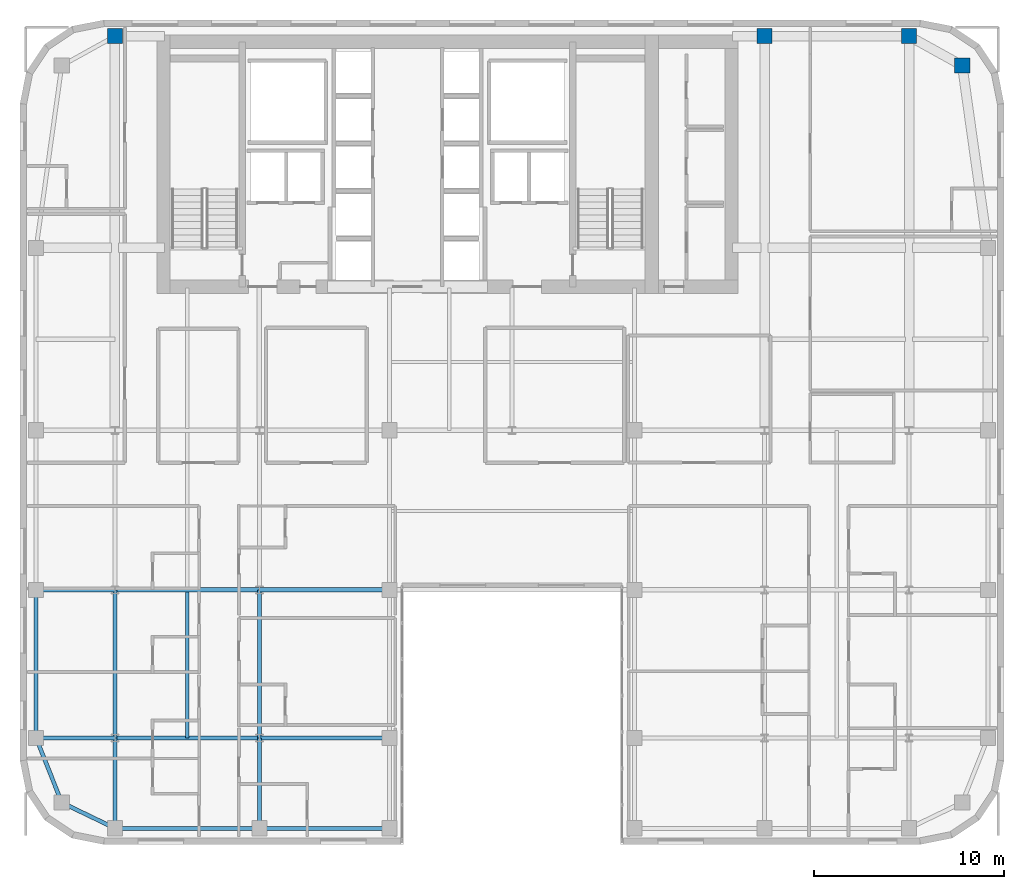
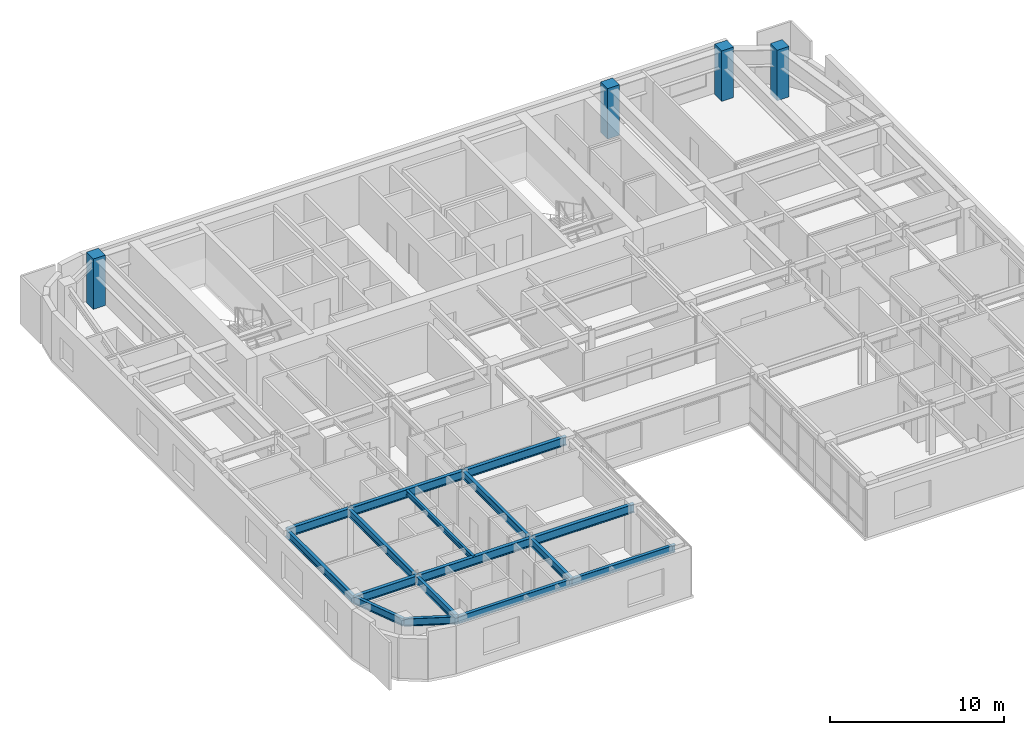
# One storey, part 2 of 14: 16 beams, 4 columns.
"""IFC4 building model written with IfcOpenShell, lengths in metres."""

from ifc_helpers import new_model, si_unit, direction, frame, origin, origin_2d, place, context, subcontext, project, spatial, rectangle, i_section, extrude, source, transform, mapped, material, material_profile, profile_set, type_object, type_shapes, element, save


model = new_model("IFC4")

# Units and contexts
model_context = context("Model", 3, precision=1e-05, world=origin(), true_north=direction((0.0, 1.0)))
body_context = subcontext(model_context, "Body", "Model", "MODEL_VIEW")
ifc_project = project(units=[si_unit("LENGTHUNIT", "METRE"), si_unit("AREAUNIT", "SQUARE_METRE"), si_unit("VOLUMEUNIT", "CUBIC_METRE"), si_unit("PLANEANGLEUNIT", "RADIAN"), si_unit("MASSUNIT", "GRAM", prefix="KILO")], contexts=[model_context])

# Site, building, storey
site_placement = place(None, origin())
site = spatial("IfcSite", under=ifc_project, at=site_placement, CompositionType="ELEMENT")
building_placement = place(site_placement, origin())
building = spatial("IfcBuilding", under=site, at=building_placement, Name="Tolvann Quenvar Hotel", CompositionType="ELEMENT")
storey_placement = place(building_placement, frame((0.0, 0.0, 187.550048828125)))
storey = spatial("IfcBuildingStorey", under=building, at=storey_placement, Name="L49", CompositionType="ELEMENT", Elevation=187.550048828125)

# Columns
ifc_material_1 = material(Name="Concrete N50 (50 MPa)", Category="concrete")
ifc_material_profile_1 = material_profile(ifc_material_1, rectangle(XDim=0.800048828125, YDim=0.800048828125, at=origin_2d()), Name="RC800x800")
ifc_profile_set_1 = profile_set([ifc_material_profile_1], Name="Concrete N50 (50 MPa)")
column_type = type_object("IfcColumnType", Name="COL_RC800", PredefinedType="COLUMN", material=ifc_profile_set_1)
shared_shape_1 = source(origin(), body_context, "Body", "SweptSolid", [
    extrude(rectangle(XDim=0.800048828125, YDim=0.800048828125, at=origin_2d()), origin(), (0.0, 0.0, 1.0), 3.550048828125),
])
type_shapes(column_type, [shared_shape_1])
for number, where, z_axis, x_axis, name in (
    (1, (7.60009765625, 45.14990234375, 0.0), (0.0, 0.0, 1.0), (1.0, 0.0, 0.0), "Column CN (L49)"),
    (2, (41.800048828125, 45.14990234375, 0.0), (0.0, 0.0, 1.0), (1.0, 0.0, 0.0), "Column HN (L49)"),
    (3, (49.39990234375, 45.14990234375, 0.0), (0.0, 0.0, 1.0), (1.0, 0.0, 0.0), "Column IN (L49)"),
    (4, (52.199951171875, 43.60009765625, 0.0), (0.0, 0.0, 1.0), (1.0, 0.0, 0.0), "Column JN (L49)"),
):
    element("IfcColumn", number, at=place(storey_placement, frame(where, z_axis=z_axis, x_axis=x_axis)), inside=storey, type_object=column_type, Name=name, PredefinedType="COLUMN", context=body_context, shape_type="MappedRepresentation", body=[
        mapped(shared_shape_1, transform((0.0, 0.0, 0.0), x_axis=(1.0, 0.0, 0.0), y_axis=(0.0, 1.0, 0.0), z_axis=(0.0, 0.0, 1.0), scale=1.0)),
    ])

# Beams
ifc_material_2 = material(Name="Steel Grade 350", Category="steel")
ifc_material_profile_2 = material_profile(ifc_material_2, i_section(OverallWidth=0.208984375, OverallDepth=0.528076171875, WebThickness=0.009521484375, FlangeThickness=0.01318359375, FilletRadius=0.013916015625, at=origin_2d()), Name="530UB82")
ifc_profile_set_2 = profile_set([ifc_material_profile_2], Name="Steel Grade 350")
beam_type_1 = type_object("IfcBeamType", Name="BM_SPAND_530UB82", PredefinedType="SPANDREL", material=ifc_profile_set_2)
shared_shape_2 = source(origin(), body_context, "Body", "SweptSolid", [
    extrude(i_section(OverallWidth=0.208984375, OverallDepth=0.528076171875, WebThickness=0.009521484375, FlangeThickness=0.01318359375, FilletRadius=0.013916015625, at=origin_2d()), origin(), (0.0, 0.0, 1.0), 7.599853515625),
])
beam_1_placement = place(storey_placement, frame((7.60009765625, 3.449951171875, 3.10595703125), z_axis=(1.0, 0.0, 0.0), x_axis=(0.0, 1.0, 0.0)))
element("IfcBeam", 5, at=beam_1_placement, inside=storey, type_object=beam_type_1, Name="BM-L49-EW-2-C2-D2", PredefinedType="SPANDREL", context=body_context, shape_type="MappedRepresentation", body=[
    mapped(shared_shape_2, transform((0.0, 0.0, 0.0), x_axis=(1.0, 0.0, 0.0), y_axis=(0.0, 1.0, 0.0), z_axis=(0.0, 0.0, 1.0), scale=1.0)),
])
shared_shape_3 = source(origin(), body_context, "Body", "SweptSolid", [
    extrude(i_section(OverallWidth=0.208984375, OverallDepth=0.528076171875, WebThickness=0.009521484375, FlangeThickness=0.01318359375, FilletRadius=0.013916015625, at=origin_2d()), origin(), (0.0, 0.0, 1.0), 6.85009765625),
])
beam_2_placement = place(storey_placement, frame((15.199951171875, 3.449951171875, 3.10595703125), z_axis=(1.0, 0.0, 0.0), x_axis=(0.0, 1.0, 0.0)))
element("IfcBeam", 6, at=beam_2_placement, inside=storey, type_object=beam_type_1, Name="BM-L49-EW-2-D2-E2", PredefinedType="SPANDREL", context=body_context, shape_type="MappedRepresentation", body=[
    mapped(shared_shape_3, transform((0.0, 0.0, 0.0), x_axis=(1.0, 0.0, 0.0), y_axis=(0.0, 1.0, 0.0), z_axis=(0.0, 0.0, 1.0), scale=1.0)),
])
shared_shape_4 = source(origin(), body_context, "Body", "SweptSolid", [
    extrude(i_section(OverallWidth=0.208984375, OverallDepth=0.528076171875, WebThickness=0.009521484375, FlangeThickness=0.01318359375, FilletRadius=0.013916015625, at=origin_2d()), origin(), (0.0, 0.0, 1.0), 7.800048828125),
])
beam_3_placement = place(storey_placement, frame((3.449951171875, 8.199951171875, 3.10595703125), z_axis=(0.0, 1.0, 0.0), x_axis=(-1.0, 0.0, 0.0)))
element("IfcBeam", 7, at=beam_3_placement, inside=storey, type_object=beam_type_1, Name="BM-L49-NS-B3-B4", PredefinedType="SPANDREL", context=body_context, shape_type="MappedRepresentation", body=[
    mapped(shared_shape_4, transform((0.0, 0.0, 0.0), x_axis=(1.0, 0.0, 0.0), y_axis=(0.0, 1.0, 0.0), z_axis=(0.0, 0.0, 1.0), scale=1.0)),
])
ifc_material_profile_3 = material_profile(ifc_material_2, i_section(OverallWidth=0.208984375, OverallDepth=0.532958984375, WebThickness=0.01025390625, FlangeThickness=0.015625, FilletRadius=0.013916015625, at=origin_2d()), Name="530UB92")
ifc_profile_set_3 = profile_set([ifc_material_profile_3], Name="Steel Grade 350")
beam_type_2 = type_object("IfcBeamType", Name="BM_GIRD_530UB92", PredefinedType="BEAM", material=ifc_profile_set_3)
shared_shape_5 = source(origin(), body_context, "Body", "SweptSolid", [
    extrude(i_section(OverallWidth=0.208984375, OverallDepth=0.532958984375, WebThickness=0.01025390625, FlangeThickness=0.015625, FilletRadius=0.013916015625, at=origin_2d()), origin(), (0.0, 0.0, 1.0), 7.800048828125),
])
for number, where, z_axis, x_axis, name in (
    (8, (7.60009765625, 8.199951171875, 3.103515625), (0.0, 1.0, 0.0), (-1.0, 0.0, 0.0), "BM-L49-NS-C3-C4"),
    (9, (15.199951171875, 8.199951171875, 3.103515625), (0.0, 1.0, 0.0), (-1.0, 0.0, 0.0), "BM-L49-NS-D3-D4"),
):
    element("IfcBeam", number, at=place(storey_placement, frame(where, z_axis=z_axis, x_axis=x_axis)), inside=storey, type_object=beam_type_2, Name=name, PredefinedType="BEAM", context=body_context, shape_type="MappedRepresentation", body=[
        mapped(shared_shape_5, transform((0.0, 0.0, 0.0), x_axis=(1.0, 0.0, 0.0), y_axis=(0.0, 1.0, 0.0), z_axis=(0.0, 0.0, 1.0), scale=1.0)),
    ])
shared_shape_6 = source(origin(), body_context, "Body", "SweptSolid", [
    extrude(i_section(OverallWidth=0.208984375, OverallDepth=0.528076171875, WebThickness=0.009521484375, FlangeThickness=0.01318359375, FilletRadius=0.013916015625, at=origin_2d()), origin(), (0.0, 0.0, 1.0), 3.108642578125),
])
beam_4_placement = place(storey_placement, frame((4.800048828125, 4.800048828125, 3.10595703125), z_axis=(0.900759354066, -0.434318530646, 0.0), x_axis=(0.434318530646, 0.900759354066, 0.0)))
element("IfcBeam", 10, at=beam_4_placement, inside=storey, type_object=beam_type_1, Name="BM-L49-EW-2-B2-C2", PredefinedType="SPANDREL", context=body_context, shape_type="MappedRepresentation", body=[
    mapped(shared_shape_6, transform((0.0, 0.0, 0.0), x_axis=(1.0, 0.0, 0.0), y_axis=(0.0, 1.0, 0.0), z_axis=(0.0, 0.0, 1.0), scale=1.0)),
])
ifc_material_profile_4 = material_profile(ifc_material_2, i_section(OverallWidth=0.22802734375, OverallDepth=0.60205078125, WebThickness=0.010498046875, FlangeThickness=0.014892578125, FilletRadius=0.013916015625, at=origin_2d()), Name="610UB101")
ifc_profile_set_4 = profile_set([ifc_material_profile_4], Name="Steel Grade 350")
beam_type_3 = type_object("IfcBeamType", Name="BM_GIRD_610UB101", PredefinedType="BEAM", material=ifc_profile_set_4)
shared_shape_7 = source(origin(), body_context, "Body", "SweptSolid", [
    extrude(i_section(OverallWidth=0.22802734375, OverallDepth=0.60205078125, WebThickness=0.010498046875, FlangeThickness=0.014892578125, FilletRadius=0.013916015625, at=origin_2d()), origin(), (0.0, 0.0, 1.0), 4.150146484375),
])
for number, where, z_axis, x_axis, name in (
    (11, (3.449951171875, 8.199951171875, 3.06884765625), (1.0, 0.0, 0.0), (0.0, 1.0, 0.0), "BM-L49-EW-3-B3-C3"),
    (12, (3.449951171875, 16.0, 3.06884765625), (1.0, 0.0, 0.0), (0.0, 1.0, 0.0), "BM-L49-EW-4-B4-C4"),
):
    element("IfcBeam", number, at=place(storey_placement, frame(where, z_axis=z_axis, x_axis=x_axis)), inside=storey, type_object=beam_type_3, Name=name, PredefinedType="BEAM", context=body_context, shape_type="MappedRepresentation", body=[
        mapped(shared_shape_7, transform((0.0, 0.0, 0.0), x_axis=(1.0, 0.0, 0.0), y_axis=(0.0, 1.0, 0.0), z_axis=(0.0, 0.0, 1.0), scale=1.0)),
    ])
shared_shape_8 = source(origin(), body_context, "Body", "SweptSolid", [
    extrude(i_section(OverallWidth=0.22802734375, OverallDepth=0.60205078125, WebThickness=0.010498046875, FlangeThickness=0.014892578125, FilletRadius=0.013916015625, at=origin_2d()), origin(), (0.0, 0.0, 1.0), 7.599853515625),
])
for number, where, z_axis, x_axis, name in (
    (13, (7.60009765625, 8.199951171875, 3.06884765625), (1.0, 0.0, 0.0), (0.0, 1.0, 0.0), "BM-L49-EW-3-C3-D3"),
    (14, (7.60009765625, 16.0, 3.06884765625), (1.0, 0.0, 0.0), (0.0, 1.0, 0.0), "BM-L49-EW-4-C4-D4"),
):
    element("IfcBeam", number, at=place(storey_placement, frame(where, z_axis=z_axis, x_axis=x_axis)), inside=storey, type_object=beam_type_3, Name=name, PredefinedType="BEAM", context=body_context, shape_type="MappedRepresentation", body=[
        mapped(shared_shape_8, transform((0.0, 0.0, 0.0), x_axis=(1.0, 0.0, 0.0), y_axis=(0.0, 1.0, 0.0), z_axis=(0.0, 0.0, 1.0), scale=1.0)),
    ])
shared_shape_9 = source(origin(), body_context, "Body", "SweptSolid", [
    extrude(i_section(OverallWidth=0.22802734375, OverallDepth=0.60205078125, WebThickness=0.010498046875, FlangeThickness=0.014892578125, FilletRadius=0.013916015625, at=origin_2d()), origin(), (0.0, 0.0, 1.0), 6.85009765625),
])
type_shapes(beam_type_3, [shared_shape_7, shared_shape_8, shared_shape_9])
for number, where, z_axis, x_axis, name in (
    (15, (15.199951171875, 8.199951171875, 3.06884765625), (1.0, 0.0, 0.0), (0.0, 1.0, 0.0), "BM-L49-EW-3-D3-E3"),
    (16, (15.199951171875, 16.0, 3.06884765625), (1.0, 0.0, 0.0), (0.0, 1.0, 0.0), "BM-L49-EW-4-D4-E4"),
):
    element("IfcBeam", number, at=place(storey_placement, frame(where, z_axis=z_axis, x_axis=x_axis)), inside=storey, type_object=beam_type_3, Name=name, PredefinedType="BEAM", context=body_context, shape_type="MappedRepresentation", body=[
        mapped(shared_shape_9, transform((0.0, 0.0, 0.0), x_axis=(1.0, 0.0, 0.0), y_axis=(0.0, 1.0, 0.0), z_axis=(0.0, 0.0, 1.0), scale=1.0)),
    ])
shared_shape_10 = source(origin(), body_context, "Body", "SweptSolid", [
    extrude(i_section(OverallWidth=0.208984375, OverallDepth=0.528076171875, WebThickness=0.009521484375, FlangeThickness=0.01318359375, FilletRadius=0.013916015625, at=origin_2d()), origin(), (0.0, 0.0, 1.0), 3.658203125),
])
type_shapes(beam_type_1, [shared_shape_2, shared_shape_3, shared_shape_4, shared_shape_6, shared_shape_10])
beam_5_placement = place(storey_placement, frame((4.800048828125, 4.800048828125, 3.10595703125), z_axis=(-0.369065163807, 0.929403521009, 0.0), x_axis=(-0.929403521009, -0.369065163807, 0.0)))
element("IfcBeam", 17, at=beam_5_placement, inside=storey, type_object=beam_type_1, Name="BM-L49-NS-B2-B3", PredefinedType="SPANDREL", context=body_context, shape_type="MappedRepresentation", body=[
    mapped(shared_shape_10, transform((0.0, 0.0, 0.0), x_axis=(1.0, 0.0, 0.0), y_axis=(0.0, 1.0, 0.0), z_axis=(0.0, 0.0, 1.0), scale=1.0)),
])
shared_shape_11 = source(origin(), body_context, "Body", "SweptSolid", [
    extrude(i_section(OverallWidth=0.208984375, OverallDepth=0.532958984375, WebThickness=0.01025390625, FlangeThickness=0.015625, FilletRadius=0.013916015625, at=origin_2d()), origin(), (0.0, 0.0, 1.0), 4.75),
])
type_shapes(beam_type_2, [shared_shape_5, shared_shape_11])
for number, where, z_axis, x_axis, name in (
    (18, (7.60009765625, 3.449951171875, 3.103515625), (0.0, 1.0, 0.0), (-1.0, 0.0, 0.0), "BM-L49-NS-C2-C3"),
    (19, (15.199951171875, 3.449951171875, 3.103515625), (0.0, 1.0, 0.0), (-1.0, 0.0, 0.0), "BM-L49-NS-D2-D3"),
):
    element("IfcBeam", number, at=place(storey_placement, frame(where, z_axis=z_axis, x_axis=x_axis)), inside=storey, type_object=beam_type_2, Name=name, PredefinedType="BEAM", context=body_context, shape_type="MappedRepresentation", body=[
        mapped(shared_shape_11, transform((0.0, 0.0, 0.0), x_axis=(1.0, 0.0, 0.0), y_axis=(0.0, 1.0, 0.0), z_axis=(0.0, 0.0, 1.0), scale=1.0)),
    ])
ifc_material_profile_5 = material_profile(ifc_material_2, i_section(OverallWidth=0.172119140625, OverallDepth=0.35888671875, WebThickness=0.008056640625, FlangeThickness=0.012939453125, FilletRadius=0.011474609375, at=origin_2d()), Name="360UB57")
ifc_profile_set_5 = profile_set([ifc_material_profile_5], Name="Steel Grade 350")
beam_type_4 = type_object("IfcBeamType", Name="BM_JOIST_360UB57", PredefinedType="JOIST", material=ifc_profile_set_5)
shared_shape_12 = source(origin(), body_context, "Body", "SweptSolid", [
    extrude(i_section(OverallWidth=0.172119140625, OverallDepth=0.35888671875, WebThickness=0.008056640625, FlangeThickness=0.012939453125, FilletRadius=0.011474609375, at=origin_2d()), origin(), (0.0, 0.0, 1.0), 7.692138671875),
])
type_shapes(beam_type_4, [shared_shape_12])
beam_6_placement = place(storey_placement, frame((11.39990234375, 8.199951171875, 3.1904296875), z_axis=(0.0, 1.0, 0.0), x_axis=(-1.0, 0.0, 0.0)))
element("IfcBeam", 20, at=beam_6_placement, inside=storey, type_object=beam_type_4, Name="BJ-L49-114-82", PredefinedType="JOIST", context=body_context, shape_type="MappedRepresentation", body=[
    mapped(shared_shape_12, transform((0.0, 0.0, 0.0), x_axis=(1.0, 0.0, 0.0), y_axis=(0.0, 1.0, 0.0), z_axis=(0.0, 0.0, 1.0), scale=1.0)),
])

save(model, "model.ifc")
